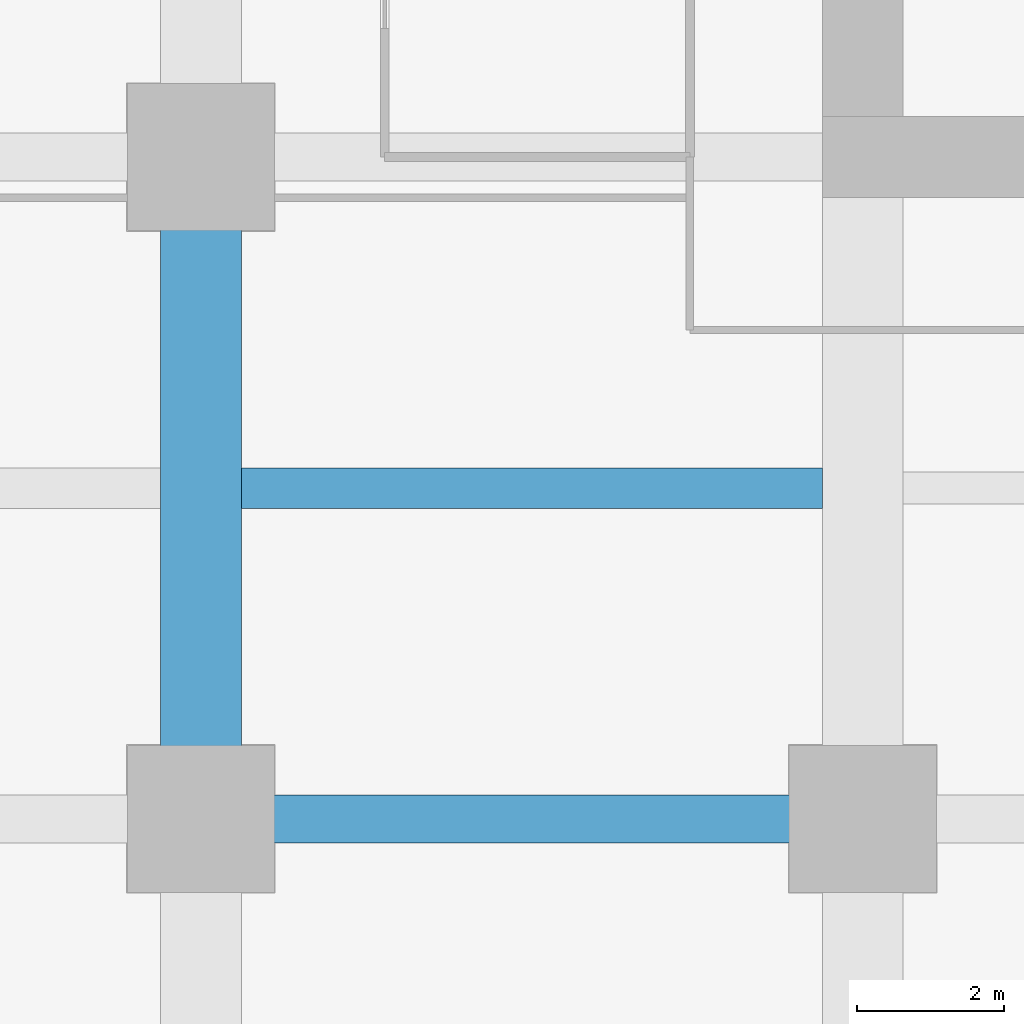
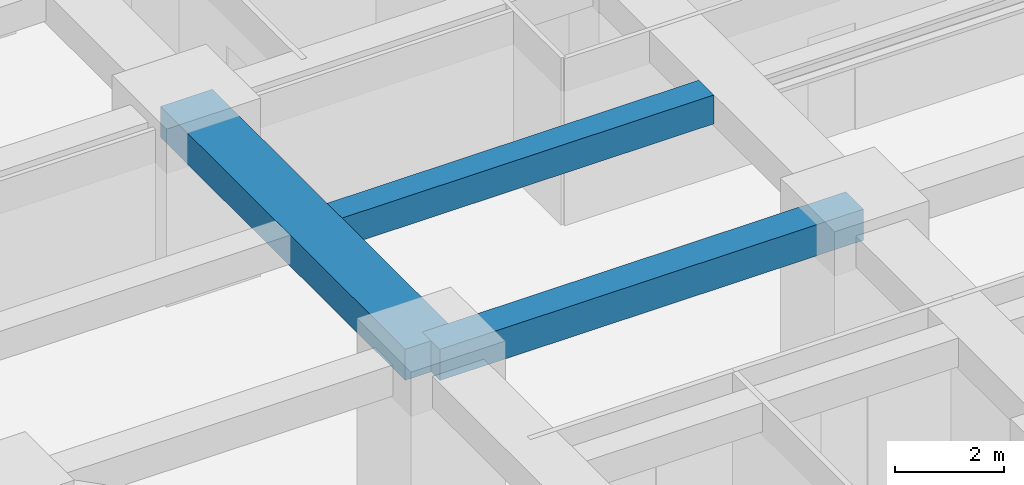
# One storey, part 5 of 41: 3 beams.
"""IFC4 building model written with IfcOpenShell, lengths in metres."""

from ifc_helpers import new_model, si_unit, direction, frame, origin, origin_2d, place, context, subcontext, project, spatial, rectangle, extrude, material, material_profile, profile_set, type_object, element, save


model = new_model("IFC4")

# Units and contexts
model_context = context("Model", 3, precision=1e-05, world=origin(), true_north=direction((0.0, 1.0)))
body_context = subcontext(model_context, "Body", "Model", "MODEL_VIEW")
ifc_project = project(units=[si_unit("LENGTHUNIT", "METRE"), si_unit("AREAUNIT", "SQUARE_METRE"), si_unit("VOLUMEUNIT", "CUBIC_METRE"), si_unit("PLANEANGLEUNIT", "RADIAN"), si_unit("MASSUNIT", "GRAM", prefix="KILO")], contexts=[model_context])

# Site, building, storey
site_placement = place(None, origin())
site = spatial("IfcSite", under=ifc_project, at=site_placement, CompositionType="ELEMENT")
building_placement = place(site_placement, origin())
building = spatial("IfcBuilding", under=site, at=building_placement, Name="Zorevar Civic Tower", CompositionType="ELEMENT")
storey_placement = place(building_placement, frame((0.0, 0.0, 101.0)))
storey = spatial("IfcBuildingStorey", under=building, at=storey_placement, Name="L24", CompositionType="ELEMENT", Elevation=101.0)

# Beams
ifc_material_1 = material(Name="Concrete C50/60", Category="concrete")
ifc_material_profile_1 = material_profile(ifc_material_1, rectangle(XDim=1.10009765625, YDim=0.699951171875, at=origin_2d()), Name="RC 1100x700")
ifc_profile_set_1 = profile_set([ifc_material_profile_1], Name="Concrete C50/60")
beam_type_1 = type_object("IfcBeamType", Name="Beam RC 1100x700", PredefinedType="BEAM", material=ifc_profile_set_1)
beam_1_placement = place(storey_placement, frame((9.0, 9.0, 3.39990234375), z_axis=(0.0, 1.0, 0.0), x_axis=(-1.0, 0.0, 0.0)))
element("IfcBeam", 1, at=beam_1_placement, inside=storey, type_object=beam_type_1, Name="Girder L25", PredefinedType="BEAM", context=body_context, shape_type="SweptSolid", body=[
    extrude(rectangle(XDim=1.10009765625, YDim=0.699951171875, at=origin_2d()), origin(), (0.0, 0.0, 1.0), 9.0),
])
ifc_material_2 = material(Name="Concrete C50/60", Category="concrete")
ifc_material_profile_2 = material_profile(ifc_material_2, rectangle(XDim=0.550048828125, YDim=0.64990234375, at=origin_2d()), Name="RC 550x650")
ifc_profile_set_2 = profile_set([ifc_material_profile_2], Name="Concrete C50/60")
beam_type_2 = type_object("IfcBeamType", Name="Beam RC 550x650", PredefinedType="BEAM", material=ifc_profile_set_2)
beam_2_placement = place(storey_placement, frame((9.550048828125, 13.5, 3.425048828125), z_axis=(1.0, 0.0, 0.0), x_axis=(0.0, 1.0, 0.0)))
element("IfcBeam", 2, at=beam_2_placement, inside=storey, type_object=beam_type_2, Name="Secondary beam L25", PredefinedType="BEAM", context=body_context, shape_type="SweptSolid", body=[
    extrude(rectangle(XDim=0.550048828125, YDim=0.64990234375, at=origin_2d()), origin(), (0.0, 0.0, 1.0), 7.89990234375),
])
ifc_material_3 = material(Name="Concrete C50/60", Category="concrete")
ifc_material_profile_3 = material_profile(ifc_material_3, rectangle(XDim=0.64990234375, YDim=0.699951171875, at=origin_2d()), Name="RC 650x700")
ifc_profile_set_3 = profile_set([ifc_material_profile_3], Name="Concrete C50/60")
beam_type_3 = type_object("IfcBeamType", Name="Beam RC 650x700", PredefinedType="BEAM", material=ifc_profile_set_3)
beam_3_placement = place(storey_placement, frame((9.0, 9.0, 3.39990234375), z_axis=(1.0, 0.0, 0.0), x_axis=(0.0, 1.0, 0.0)))
element("IfcBeam", 3, at=beam_3_placement, inside=storey, type_object=beam_type_3, Name="Girder L25", PredefinedType="BEAM", context=body_context, shape_type="SweptSolid", body=[
    extrude(rectangle(XDim=0.64990234375, YDim=0.699951171875, at=origin_2d()), origin(), (0.0, 0.0, 1.0), 9.0),
])

save(model, "model.ifc")
